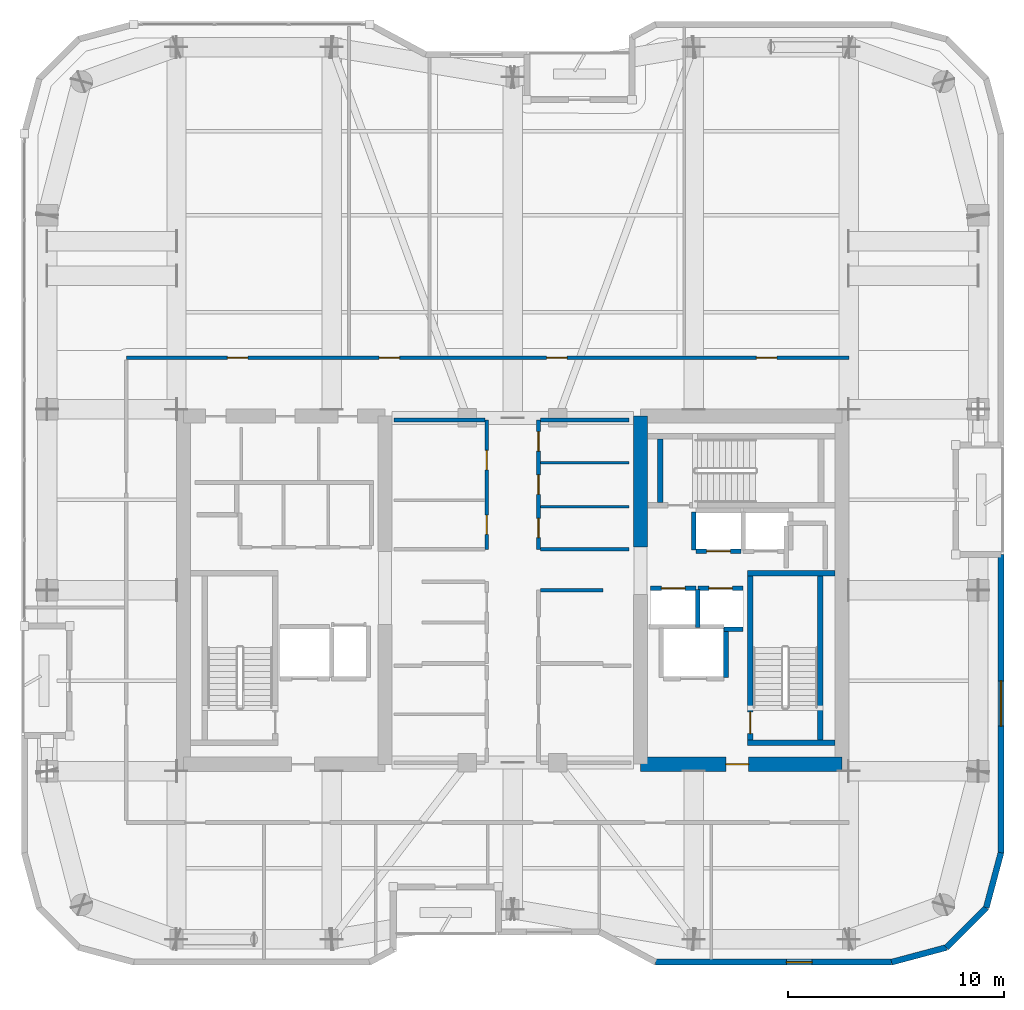
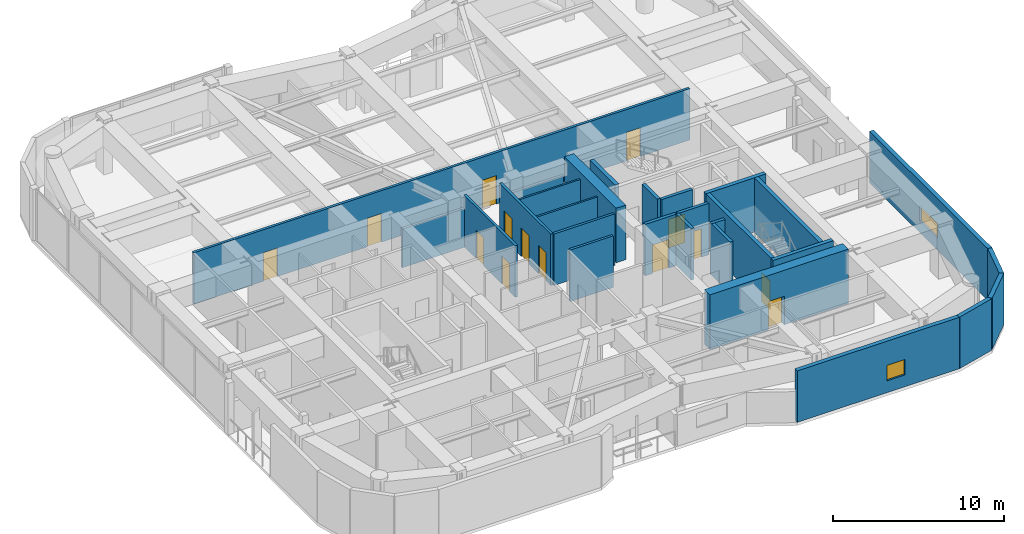
# One storey, part 17 of 21: 28 walls, 14 doors, 2 windows, 16 openings.
"""IFC4 building model written with IfcOpenShell, lengths in metres."""

from ifc_helpers import new_model, si_unit, direction, frame, frame_2d, origin, place, context, subcontext, project, spatial, rectangle, extrude, material, layer, layer_set, type_object, element, fill, save


model = new_model("IFC4")

# Units and contexts
model_context = context("Model", 3, precision=1e-05, world=origin(), true_north=direction((0.0, 1.0)))
body_context = subcontext(model_context, "Body", "Model", "MODEL_VIEW")
ifc_project = project(units=[si_unit("LENGTHUNIT", "METRE"), si_unit("AREAUNIT", "SQUARE_METRE"), si_unit("VOLUMEUNIT", "CUBIC_METRE"), si_unit("PLANEANGLEUNIT", "RADIAN"), si_unit("MASSUNIT", "GRAM", prefix="KILO")], contexts=[model_context])

# Site, building, storey
site_placement = place(None, origin())
site = spatial("IfcSite", under=ifc_project, at=site_placement, CompositionType="ELEMENT")
building_placement = place(site_placement, origin())
building = spatial("IfcBuilding", under=site, at=building_placement, Name="Kiyonajd Concourse Tower", CompositionType="ELEMENT")
storey_placement = place(building_placement, frame((0.0, 0.0, 251.10009765625)))
storey = spatial("IfcBuildingStorey", under=building, at=storey_placement, Name="L63", CompositionType="ELEMENT", Elevation=251.10009765625)

# Wall
ifc_material_1 = material(Name="Concrete C60/75", Category="concrete")
ifc_layer_1 = layer(ifc_material_1, 0.64990234375)
ifc_layer_set_1 = layer_set([ifc_layer_1], Name="Concrete C60/75")
wall_type_1 = type_object("IfcWallType", Name="WL-CORE-650", PredefinedType="SHEAR", material=ifc_layer_set_1)
wall_1_placement = place(storey_placement, frame((53.925048828125, 38.0, 0.0), z_axis=(0.0, 0.0, 1.0), x_axis=(0.0, 1.0, 0.0)))
element("IfcWall", 1, at=wall_1_placement, inside=storey, type_object=wall_type_1, Name="L63 East Core Inner North Shear Wall", PredefinedType="SHEAR", context=body_context, shape_type="SweptSolid", body=[
    extrude(rectangle(XDim=6.074951171875, YDim=0.64990234375, at=frame_2d((3.03759765625, 0.0))), origin(), (0.0, 0.0, 1.0), 3.89990234375),
])

# Wall, opening, door
wall_2_placement = place(storey_placement, frame((53.925048828125, 27.925048828125, 0.0), z_axis=(0.0, 0.0, 1.0), x_axis=(1.0, 0.0, 0.0)))
wall_2 = element("IfcWall", 2, at=wall_2_placement, inside=storey, type_object=wall_type_1, Name="L63 East Core South Shear Wall", PredefinedType="SHEAR", context=body_context, shape_type="SweptSolid", body=[
    extrude(rectangle(XDim=9.349853515625, YDim=0.64990234375, at=frame_2d((4.6748046875, 0.0))), origin(), (0.0, 0.0, 1.0), 3.89990234375),
])
opening_1_placement = place(wall_2_placement, frame((3.97509765625, 0.0, 0.0)))
opening_1 = element("IfcOpeningElement", 3, at=opening_1_placement, cuts=wall_2, Name="Opening DF5", PredefinedType="OPENING", context=body_context, shape_type="SweptSolid", body=[
    extrude(rectangle(XDim=1.050048828125, YDim=2.0400390625, at=frame_2d((0.52490234375, 1.02001953125))), frame((0.0, 0.3349609375, 0.0), z_axis=(0.0, -1.0, 0.0), x_axis=(1.0, 0.0, 0.0)), (0.0, 0.0, 1.0), 0.669921875),
])
ifc_material_2 = material(Name="Brushed Stainless Steel Cab Assembly", Category="steel")
door_type_1 = type_object("IfcDoorType", Name="DR-FD45-1050", OperationType="NOTDEFINED", PredefinedType="DOOR", material=ifc_material_2)
door_1_placement = place(opening_1_placement, origin())
door_1 = element("IfcDoor", 4, at=door_1_placement, inside=storey, type_object=door_type_1, Name="L63 Firefighting Lift Lobby E Smoke Door", OperationType="SINGLE_SWING_RIGHT", OverallHeight=2.0400390625, OverallWidth=1.050048828125, PredefinedType="DOOR", context=body_context, shape_type="SweptSolid", body=[
    extrude(rectangle(XDim=1.050048828125, YDim=2.0400390625, at=frame_2d((0.52490234375, 1.02001953125))), frame((0.0, 0.02490234375, 0.0), z_axis=(0.0, -1.0, 0.0), x_axis=(1.0, 0.0, 0.0)), (0.0, 0.0, 1.0), 0.050048828125),
])
fill(opening_1, door_1)

# Wall, opening, window
ifc_material_3 = material(Name="Precast concrete C50/60", Category="concrete")
ifc_layer_2 = layer(ifc_material_3, 0.280029296875)
ifc_layer_set_2 = layer_set([ifc_layer_2], Name="Precast concrete C50/60")
wall_type_2 = type_object("IfcWallType", Name="WL-EXT-280", PredefinedType="SOLIDWALL", material=ifc_layer_set_2)
wall_3_placement = place(storey_placement, frame((70.659912109375, 37.659912109375, 0.0), z_axis=(0.0, 0.0, 1.0), x_axis=(0.0, -1.0, 0.0)))
wall_3 = element("IfcWall", 5, at=wall_3_placement, inside=storey, type_object=wall_type_2, Name="L63 Exterior Concrete Frame Wall 24", PredefinedType="SOLIDWALL", context=body_context, shape_type="SweptSolid", body=[
    extrude(rectangle(XDim=13.841552734375, YDim=0.280029296875, at=frame_2d((6.9208984375, 0.0))), origin(), (0.0, 0.0, 1.0), 3.679931640625),
])
opening_2_placement = place(wall_3_placement, frame((5.87109375, 0.0, 0.85009765625)))
opening_2 = element("IfcOpeningElement", 6, at=opening_2_placement, cuts=wall_3, Name="Opening WN5", PredefinedType="OPENING", context=body_context, shape_type="SweptSolid", body=[
    extrude(rectangle(XDim=2.10009765625, YDim=1.050048828125, at=frame_2d((1.050048828125, 0.52490234375))), frame((0.0, 0.14990234375, 0.0), z_axis=(0.0, -1.0, 0.0), x_axis=(1.0, 0.0, 0.0)), (0.0, 0.0, 1.0), 0.300048828125),
])
ifc_material_4 = material(Name="Double Low-E Insulated Glass", Category="glass")
window_type_1 = type_object("IfcWindowType", Name="WN-VIS-2100x1050", PartitioningType="SINGLE_PANEL", PredefinedType="WINDOW", material=ifc_material_4)
window_1_placement = place(opening_2_placement, origin())
window_1 = element("IfcWindow", 7, at=window_1_placement, inside=storey, type_object=window_type_1, Name="L63 Modular Facade Vision Window 24", OverallHeight=1.050048828125, OverallWidth=2.10009765625, PartitioningType="SINGLE_PANEL", PredefinedType="WINDOW", context=body_context, shape_type="SweptSolid", body=[
    extrude(rectangle(XDim=2.10009765625, YDim=1.050048828125, at=frame_2d((1.050048828125, 0.52490234375))), frame((0.0, 0.030029296875, 0.0), z_axis=(0.0, -1.0, 0.0), x_axis=(1.0, 0.0, 0.0)), (0.0, 0.0, 1.0), 0.06005859375),
])
fill(opening_2, window_1)

# Walls
wall_4_placement = place(storey_placement, frame((70.659912109375, 23.818359375, 0.0), z_axis=(0.0, 0.0, 1.0), x_axis=(-0.2588904131, -0.965906700466, 0.0)))
element("IfcWall", 8, at=wall_4_placement, inside=storey, type_object=wall_type_2, Name="L63 Exterior Concrete Frame Wall 25", PredefinedType="SOLIDWALL", context=body_context, shape_type="SweptSolid", body=[
    extrude(rectangle(XDim=2.6357421875, YDim=0.280029296875, at=frame_2d((1.31787109375, 0.0))), origin(), (0.0, 0.0, 1.0), 3.679931640625),
])
wall_5_placement = place(storey_placement, frame((69.9775390625, 21.2724609375, 0.0), z_axis=(0.0, 0.0, 1.0), x_axis=(-0.707153437963, -0.707060121331, 0.0)))
element("IfcWall", 9, at=wall_5_placement, inside=storey, type_object=wall_type_2, Name="L63 Exterior Concrete Frame Wall 26", PredefinedType="SOLIDWALL", context=body_context, shape_type="SweptSolid", body=[
    extrude(rectangle(XDim=2.6162109375, YDim=0.280029296875, at=frame_2d((1.30810546875, 0.0))), origin(), (0.0, 0.0, 1.0), 3.679931640625),
])
wall_6_placement = place(storey_placement, frame((68.12744140625, 19.422607421875, 0.0), z_axis=(0.0, 0.0, 1.0), x_axis=(-0.965883534663, -0.258976828051, 0.0)))
element("IfcWall", 10, at=wall_6_placement, inside=storey, type_object=wall_type_2, Name="L63 Exterior Concrete Frame Wall 27", PredefinedType="SOLIDWALL", context=body_context, shape_type="SweptSolid", body=[
    extrude(rectangle(XDim=2.6357421875, YDim=0.280029296875, at=frame_2d((1.31787109375, 0.0))), origin(), (0.0, 0.0, 1.0), 3.679931640625),
])

# Wall, opening, window
wall_7_placement = place(storey_placement, frame((65.58154296875, 18.739990234375, 0.0), z_axis=(0.0, 0.0, 1.0), x_axis=(-1.0, 0.0, 0.0)))
wall_7 = element("IfcWall", 11, at=wall_7_placement, inside=storey, type_object=wall_type_2, Name="L63 Exterior Concrete Frame Wall 28", PredefinedType="SOLIDWALL", context=body_context, shape_type="SweptSolid", body=[
    extrude(rectangle(XDim=10.9462890625, YDim=0.280029296875, at=frame_2d((5.47314453125, 0.0))), origin(), (0.0, 0.0, 1.0), 3.679931640625),
])
opening_3_placement = place(wall_7_placement, frame((3.680908203125, 0.0, 0.85009765625)))
opening_3 = element("IfcOpeningElement", 12, at=opening_3_placement, cuts=wall_7, Name="Opening WN3", PredefinedType="OPENING", context=body_context, shape_type="SweptSolid", body=[
    extrude(rectangle(XDim=1.199951171875, YDim=1.10009765625, at=frame_2d((0.60009765625, 0.550048828125))), frame((0.0, 0.14990234375, 0.0), z_axis=(0.0, -1.0, 0.0), x_axis=(1.0, 0.0, 0.0)), (0.0, 0.0, 1.0), 0.300048828125),
])
window_type_2 = type_object("IfcWindowType", Name="WN-VIS-1200x1100", PartitioningType="SINGLE_PANEL", PredefinedType="WINDOW", material=ifc_material_4)
window_2_placement = place(opening_3_placement, origin())
window_2 = element("IfcWindow", 13, at=window_2_placement, inside=storey, type_object=window_type_2, Name="L63 Modular Facade Vision Window 28", OverallHeight=1.10009765625, OverallWidth=1.199951171875, PartitioningType="SINGLE_PANEL", PredefinedType="WINDOW", context=body_context, shape_type="SweptSolid", body=[
    extrude(rectangle(XDim=1.199951171875, YDim=1.10009765625, at=frame_2d((0.60009765625, 0.550048828125))), frame((0.0, 0.030029296875, 0.0), z_axis=(0.0, -1.0, 0.0), x_axis=(1.0, 0.0, 0.0)), (0.0, 0.0, 1.0), 0.06005859375),
])
fill(opening_3, window_2)

# Walls
ifc_material_5 = material(Name="Gypsum Board on Cold-Formed Steel Stud", Category="steel")
ifc_layer_3 = layer(ifc_material_5, 0.125)
ifc_layer_set_3 = layer_set([ifc_layer_3], Name="Gypsum Board on Cold-Formed Steel Stud")
wall_type_3 = type_object("IfcWallType", Name="WL-PART-125", PredefinedType="PARTITIONING", material=ifc_layer_set_3)
for number, where, z_axis, x_axis, name in (
    (14, (49.287109375, 39.8798828125, 0.0), (0.0, 0.0, 1.0), (1.0, 0.0, 0.0), "L63 Interior Partition Wall"),
    (15, (49.287109375, 41.919921875, 0.0), (0.0, 0.0, 1.0), (1.0, 0.0, 0.0), "L63 Interior Partition Wall"),
):
    element("IfcWall", number, at=place(storey_placement, frame(where, z_axis=z_axis, x_axis=x_axis)), inside=storey, type_object=wall_type_3, Name=name, PredefinedType="PARTITIONING", context=body_context, shape_type="SweptSolid", body=[
        extrude(rectangle(XDim=4.11279296875, YDim=0.125, at=frame_2d((2.056396484375, 0.0))), origin(), (0.0, 0.0, 1.0), 3.679931640625),
    ])
ifc_layer_4 = layer(ifc_material_5, 0.2099609375)
ifc_layer_set_4 = layer_set([ifc_layer_4], Name="Gypsum Board on Cold-Formed Steel Stud")
wall_type_4 = type_object("IfcWallType", Name="WL-SHAFT-210", PredefinedType="PARTITIONING", material=ifc_layer_set_4)
wall_8_placement = place(storey_placement, frame((57.89990234375, 31.9599609375, 0.0), z_axis=(0.0, 0.0, 1.0), x_axis=(0.0, 1.0, 0.0)))
element("IfcWall", 16, at=wall_8_placement, inside=storey, type_object=wall_type_4, Name="L63 Shaft Enclosure Wall", PredefinedType="PARTITIONING", context=body_context, shape_type="SweptSolid", body=[
    extrude(rectangle(XDim=2.280029296875, YDim=0.2099609375, at=frame_2d((1.14013671875, 0.0))), origin(), (0.0, 0.0, 1.0), 3.679931640625),
])

# Wall, opening, door
wall_9_placement = place(storey_placement, frame((54.39990234375, 36.10009765625, 0.0), z_axis=(0.0, 0.0, 1.0), x_axis=(1.0, 0.0, 0.0)))
wall_9 = element("IfcWall", 17, at=wall_9_placement, inside=storey, type_object=wall_type_4, Name="L63 Shaft Enclosure Wall", PredefinedType="PARTITIONING", context=body_context, shape_type="SweptSolid", body=[
    extrude(rectangle(XDim=2.10009765625, YDim=0.2099609375, at=frame_2d((1.050048828125, 0.0))), origin(), (0.0, 0.0, 1.0), 3.679931640625),
])
opening_4_placement = place(wall_9_placement, frame((0.5, 0.0, 0.0)))
opening_4 = element("IfcOpeningElement", 18, at=opening_4_placement, cuts=wall_9, Name="Opening LD1", PredefinedType="OPENING", context=body_context, shape_type="SweptSolid", body=[
    extrude(rectangle(XDim=1.10009765625, YDim=2.0400390625, at=frame_2d((0.550048828125, 1.02001953125))), frame((0.0, 0.114990234375, 0.0), z_axis=(0.0, -1.0, 0.0), x_axis=(1.0, 0.0, 0.0)), (0.0, 0.0, 1.0), 0.22998046875),
])
door_type_2 = type_object("IfcDoorType", Name="DR-LD-1100", OperationType="DOUBLE_DOOR_SLIDING", PredefinedType="DOOR", material=ifc_material_2)
door_2_placement = place(opening_4_placement, origin())
door_2 = element("IfcDoor", 19, at=door_2_placement, inside=storey, type_object=door_type_2, Name="L63 Lift PL-H1 Sliding Landing Door", OperationType="DOUBLE_DOOR_SLIDING", OverallHeight=2.0400390625, OverallWidth=1.10009765625, PredefinedType="DOOR", context=body_context, shape_type="SweptSolid", body=[
    extrude(rectangle(XDim=1.10009765625, YDim=2.0400390625, at=frame_2d((0.550048828125, 1.02001953125))), frame((0.0, 0.02490234375, 0.0), z_axis=(0.0, -1.0, 0.0), x_axis=(1.0, 0.0, 0.0)), (0.0, 0.0, 1.0), 0.050048828125),
])
fill(opening_4, door_2)

# Wall
wall_10_placement = place(storey_placement, frame((56.60009765625, 34.260009765625, 0.0), z_axis=(0.0, 0.0, 1.0), x_axis=(0.0, 1.0, 0.0)))
element("IfcWall", 20, at=wall_10_placement, inside=storey, type_object=wall_type_4, Name="L63 Shaft Enclosure Wall", PredefinedType="PARTITIONING", context=body_context, shape_type="SweptSolid", body=[
    extrude(rectangle(XDim=1.780029296875, YDim=0.2099609375, at=frame_2d((0.89013671875, 0.0))), origin(), (0.0, 0.0, 1.0), 3.679931640625),
])

# Wall, opening, door
wall_11_placement = place(storey_placement, frame((56.60009765625, 36.10009765625, 0.0), z_axis=(0.0, 0.0, 1.0), x_axis=(1.0, 0.0, 0.0)))
wall_11 = element("IfcWall", 21, at=wall_11_placement, inside=storey, type_object=wall_type_4, Name="L63 Shaft Enclosure Wall", PredefinedType="PARTITIONING", context=body_context, shape_type="SweptSolid", body=[
    extrude(rectangle(XDim=2.099853515625, YDim=0.2099609375, at=frame_2d((1.0498046875, 0.0))), origin(), (0.0, 0.0, 1.0), 3.679931640625),
])
opening_5_placement = place(wall_11_placement, frame((0.5, 0.0, 0.0)))
opening_5 = element("IfcOpeningElement", 22, at=opening_5_placement, cuts=wall_11, Name="Opening LD1", PredefinedType="OPENING", context=body_context, shape_type="SweptSolid", body=[
    extrude(rectangle(XDim=1.10009765625, YDim=2.0400390625, at=frame_2d((0.550048828125, 1.02001953125))), frame((0.0, 0.114990234375, 0.0), z_axis=(0.0, -1.0, 0.0), x_axis=(1.0, 0.0, 0.0)), (0.0, 0.0, 1.0), 0.22998046875),
])
door_3_placement = place(opening_5_placement, origin())
door_3 = element("IfcDoor", 23, at=door_3_placement, inside=storey, type_object=door_type_2, Name="L63 Lift PL-H2 Sliding Landing Door", OperationType="DOUBLE_DOOR_SLIDING", OverallHeight=2.0400390625, OverallWidth=1.10009765625, PredefinedType="DOOR", context=body_context, shape_type="SweptSolid", body=[
    extrude(rectangle(XDim=1.10009765625, YDim=2.0400390625, at=frame_2d((0.550048828125, 1.02001953125))), frame((0.0, 0.02490234375, 0.0), z_axis=(0.0, -1.0, 0.0), x_axis=(1.0, 0.0, 0.0)), (0.0, 0.0, 1.0), 0.050048828125),
])
fill(opening_5, door_3)

# Wall
wall_12_placement = place(storey_placement, frame((57.800048828125, 34.199951171875, 0.0), z_axis=(0.0, 0.0, 1.0), x_axis=(1.0, 0.0, 0.0)))
element("IfcWall", 24, at=wall_12_placement, inside=storey, type_object=wall_type_4, Name="L63 Shaft Enclosure Wall", PredefinedType="PARTITIONING", context=body_context, shape_type="SweptSolid", body=[
    extrude(rectangle(XDim=0.89990234375, YDim=0.2099609375, at=frame_2d((0.449951171875, 0.0))), origin(), (0.0, 0.0, 1.0), 3.679931640625),
])

# Wall, opening, door
wall_13_placement = place(storey_placement, frame((56.5, 37.800048828125, 0.0), z_axis=(0.0, 0.0, 1.0), x_axis=(1.0, 0.0, 0.0)))
wall_13 = element("IfcWall", 25, at=wall_13_placement, inside=storey, type_object=wall_type_4, Name="L63 Shaft Enclosure Wall", PredefinedType="PARTITIONING", context=body_context, shape_type="SweptSolid", body=[
    extrude(rectangle(XDim=2.10009765625, YDim=0.2099609375, at=frame_2d((1.050048828125, 0.0))), origin(), (0.0, 0.0, 1.0), 3.679931640625),
])
opening_6_placement = place(wall_13_placement, frame((0.5, 0.0, 0.0)))
opening_6 = element("IfcOpeningElement", 26, at=opening_6_placement, cuts=wall_13, Name="Opening LD1", PredefinedType="OPENING", context=body_context, shape_type="SweptSolid", body=[
    extrude(rectangle(XDim=1.10009765625, YDim=2.0400390625, at=frame_2d((0.550048828125, 1.02001953125))), frame((0.0, 0.114990234375, 0.0), z_axis=(0.0, -1.0, 0.0), x_axis=(1.0, 0.0, 0.0)), (0.0, 0.0, 1.0), 0.22998046875),
])
door_4_placement = place(opening_6_placement, origin())
door_4 = element("IfcDoor", 27, at=door_4_placement, inside=storey, type_object=door_type_2, Name="L63 Lift PL-H3 Sliding Landing Door", OperationType="DOUBLE_DOOR_SLIDING", OverallHeight=2.0400390625, OverallWidth=1.10009765625, PredefinedType="DOOR", context=body_context, shape_type="SweptSolid", body=[
    extrude(rectangle(XDim=1.10009765625, YDim=2.0400390625, at=frame_2d((0.550048828125, 1.02001953125))), frame((0.0, 0.02490234375, 0.0), z_axis=(0.0, -1.0, 0.0), x_axis=(1.0, 0.0, 0.0)), (0.0, 0.0, 1.0), 0.050048828125),
])
fill(opening_6, door_4)

# Walls
wall_14_placement = place(storey_placement, frame((56.39990234375, 37.860107421875, 0.0), z_axis=(0.0, 0.0, 1.0), x_axis=(0.0, 1.0, 0.0)))
element("IfcWall", 28, at=wall_14_placement, inside=storey, type_object=wall_type_4, Name="L63 Shaft Enclosure Wall", PredefinedType="PARTITIONING", context=body_context, shape_type="SweptSolid", body=[
    extrude(rectangle(XDim=1.77978515625, YDim=0.2099609375, at=frame_2d((0.889892578125, 0.0))), origin(), (0.0, 0.0, 1.0), 3.679931640625),
])
ifc_layer_5 = layer(ifc_material_5, 0.169921875)
ifc_layer_set_5 = layer_set([ifc_layer_5], Name="Gypsum Board on Cold-Formed Steel Stud")
wall_type_5 = type_object("IfcWallType", Name="WL-SMK-170", PredefinedType="PARTITIONING", material=ifc_layer_set_5)
wall_15_placement = place(storey_placement, frame((49.287109375, 36.0, 0.0), z_axis=(0.0, 0.0, 1.0), x_axis=(1.0, 0.0, 0.0)))
element("IfcWall", 29, at=wall_15_placement, inside=storey, type_object=wall_type_5, Name="L63 Interior Partition Wall", PredefinedType="PARTITIONING", context=body_context, shape_type="SweptSolid", body=[
    extrude(rectangle(XDim=2.912841796875, YDim=0.169921875, at=frame_2d((1.45654296875, 0.0))), origin(), (0.0, 0.0, 1.0), 3.679931640625),
])

# Wall, openings, doors
wall_16_placement = place(storey_placement, frame((46.800048828125, 37.89990234375, 0.0), z_axis=(0.0, 0.0, 1.0), x_axis=(0.0, 1.0, 0.0)))
wall_16 = element("IfcWall", 30, at=wall_16_placement, inside=storey, type_object=wall_type_5, Name="L63 Interior Partition Wall", PredefinedType="PARTITIONING", context=body_context, shape_type="SweptSolid", body=[
    extrude(rectangle(XDim=6.0, YDim=0.169921875, at=frame_2d((3.0, 0.0))), origin(), (0.0, 0.0, 1.0), 3.679931640625),
])
opening_7_placement = place(wall_16_placement, frame((0.68994140625, 0.0, 0.0)))
opening_7 = element("IfcOpeningElement", 31, at=opening_7_placement, cuts=wall_16, Name="Opening DI2", PredefinedType="OPENING", context=body_context, shape_type="SweptSolid", body=[
    extrude(rectangle(XDim=0.89990234375, YDim=2.02001953125, at=frame_2d((0.449951171875, 1.010009765625))), frame((0.0, 0.094970703125, 0.0), z_axis=(0.0, -1.0, 0.0), x_axis=(1.0, 0.0, 0.0)), (0.0, 0.0, 1.0), 0.18994140625),
])
opening_8_placement = place(wall_16_placement, frame((3.68994140625, 0.0, 0.0)))
opening_8 = element("IfcOpeningElement", 32, at=opening_8_placement, cuts=wall_16, Name="Opening DI2", PredefinedType="OPENING", context=body_context, shape_type="SweptSolid", body=[
    extrude(rectangle(XDim=0.89990234375, YDim=2.02001953125, at=frame_2d((0.449951171875, 1.010009765625))), frame((0.0, 0.094970703125, 0.0), z_axis=(0.0, -1.0, 0.0), x_axis=(1.0, 0.0, 0.0)), (0.0, 0.0, 1.0), 0.18994140625),
])
ifc_material_6 = material(Name="Natural Oak Acoustic Timber Veneer", Category="wood")
door_type_3 = type_object("IfcDoorType", Name="DR-INT-900", OperationType="NOTDEFINED", PredefinedType="DOOR", material=ifc_material_6)
door_5_placement = place(opening_7_placement, origin())
door_5 = element("IfcDoor", 33, at=door_5_placement, inside=storey, type_object=door_type_3, Name="L63 Interior Door", OperationType="SINGLE_SWING_LEFT", OverallHeight=2.02001953125, OverallWidth=0.89990234375, PredefinedType="DOOR", context=body_context, shape_type="SweptSolid", body=[
    extrude(rectangle(XDim=0.89990234375, YDim=2.02001953125, at=frame_2d((0.449951171875, 1.010009765625))), frame((0.0, 0.02490234375, 0.0), z_axis=(0.0, -1.0, 0.0), x_axis=(1.0, 0.0, 0.0)), (0.0, 0.0, 1.0), 0.050048828125),
])
fill(opening_7, door_5)
door_6_placement = place(opening_8_placement, origin())
door_6 = element("IfcDoor", 34, at=door_6_placement, inside=storey, type_object=door_type_3, Name="L63 Interior Door", OperationType="SINGLE_SWING_RIGHT", OverallHeight=2.02001953125, OverallWidth=0.89990234375, PredefinedType="DOOR", context=body_context, shape_type="SweptSolid", body=[
    extrude(rectangle(XDim=0.89990234375, YDim=2.02001953125, at=frame_2d((0.449951171875, 1.010009765625))), frame((0.0, 0.02490234375, 0.0), z_axis=(0.0, -1.0, 0.0), x_axis=(1.0, 0.0, 0.0)), (0.0, 0.0, 1.0), 0.050048828125),
])
fill(opening_8, door_6)

# Wall
wall_17_placement = place(storey_placement, frame((42.5, 43.89990234375, 0.0), z_axis=(0.0, 0.0, 1.0), x_axis=(1.0, 0.0, 0.0)))
element("IfcWall", 35, at=wall_17_placement, inside=storey, type_object=wall_type_5, Name="L63 Interior Partition Wall", PredefinedType="PARTITIONING", context=body_context, shape_type="SweptSolid", body=[
    extrude(rectangle(XDim=4.212890625, YDim=0.169921875, at=frame_2d((2.1064453125, 0.0))), origin(), (0.0, 0.0, 1.0), 2.764892578125),
])

# Wall, openings, doors
wall_18_placement = place(storey_placement, frame((49.199951171875, 37.89990234375, 0.0), z_axis=(0.0, 0.0, 1.0), x_axis=(0.0, 1.0, 0.0)))
wall_18 = element("IfcWall", 36, at=wall_18_placement, inside=storey, type_object=wall_type_5, Name="L63 Interior Partition Wall", PredefinedType="PARTITIONING", context=body_context, shape_type="SweptSolid", body=[
    extrude(rectangle(XDim=6.0, YDim=0.169921875, at=frame_2d((3.0, 0.0))), origin(), (0.0, 0.0, 1.0), 3.679931640625),
])
opening_9_placement = place(wall_18_placement, frame((0.5400390625, 0.0, 0.0)))
opening_9 = element("IfcOpeningElement", 37, at=opening_9_placement, cuts=wall_18, Name="Opening DI2", PredefinedType="OPENING", context=body_context, shape_type="SweptSolid", body=[
    extrude(rectangle(XDim=0.89990234375, YDim=2.02001953125, at=frame_2d((0.449951171875, 1.010009765625))), frame((0.0, 0.094970703125, 0.0), z_axis=(0.0, -1.0, 0.0), x_axis=(1.0, 0.0, 0.0)), (0.0, 0.0, 1.0), 0.18994140625),
])
opening_10_placement = place(wall_18_placement, frame((2.550048828125, 0.0, 0.0)))
opening_10 = element("IfcOpeningElement", 38, at=opening_10_placement, cuts=wall_18, Name="Opening DI2", PredefinedType="OPENING", context=body_context, shape_type="SweptSolid", body=[
    extrude(rectangle(XDim=0.89990234375, YDim=2.02001953125, at=frame_2d((0.449951171875, 1.010009765625))), frame((0.0, 0.094970703125, 0.0), z_axis=(0.0, -1.0, 0.0), x_axis=(1.0, 0.0, 0.0)), (0.0, 0.0, 1.0), 0.18994140625),
])
opening_11_placement = place(wall_18_placement, frame((4.56005859375, 0.0, 0.0)))
opening_11 = element("IfcOpeningElement", 39, at=opening_11_placement, cuts=wall_18, Name="Opening DI2", PredefinedType="OPENING", context=body_context, shape_type="SweptSolid", body=[
    extrude(rectangle(XDim=0.89990234375, YDim=2.02001953125, at=frame_2d((0.449951171875, 1.010009765625))), frame((0.0, 0.094970703125, 0.0), z_axis=(0.0, -1.0, 0.0), x_axis=(1.0, 0.0, 0.0)), (0.0, 0.0, 1.0), 0.18994140625),
])
door_7_placement = place(opening_9_placement, origin())
door_7 = element("IfcDoor", 40, at=door_7_placement, inside=storey, type_object=door_type_3, Name="L63 Interior Door", OperationType="SINGLE_SWING_LEFT", OverallHeight=2.02001953125, OverallWidth=0.89990234375, PredefinedType="DOOR", context=body_context, shape_type="SweptSolid", body=[
    extrude(rectangle(XDim=0.89990234375, YDim=2.02001953125, at=frame_2d((0.449951171875, 1.010009765625))), frame((0.0, 0.02490234375, 0.0), z_axis=(0.0, -1.0, 0.0), x_axis=(1.0, 0.0, 0.0)), (0.0, 0.0, 1.0), 0.050048828125),
])
fill(opening_9, door_7)
door_8_placement = place(opening_10_placement, origin())
door_8 = element("IfcDoor", 41, at=door_8_placement, inside=storey, type_object=door_type_3, Name="L63 Interior Door", OperationType="SINGLE_SWING_RIGHT", OverallHeight=2.02001953125, OverallWidth=0.89990234375, PredefinedType="DOOR", context=body_context, shape_type="SweptSolid", body=[
    extrude(rectangle(XDim=0.89990234375, YDim=2.02001953125, at=frame_2d((0.449951171875, 1.010009765625))), frame((0.0, 0.02490234375, 0.0), z_axis=(0.0, -1.0, 0.0), x_axis=(1.0, 0.0, 0.0)), (0.0, 0.0, 1.0), 0.050048828125),
])
fill(opening_10, door_8)
door_9_placement = place(opening_11_placement, origin())
door_9 = element("IfcDoor", 42, at=door_9_placement, inside=storey, type_object=door_type_3, Name="L63 Interior Door", OperationType="SINGLE_SWING_LEFT", OverallHeight=2.02001953125, OverallWidth=0.89990234375, PredefinedType="DOOR", context=body_context, shape_type="SweptSolid", body=[
    extrude(rectangle(XDim=0.89990234375, YDim=2.02001953125, at=frame_2d((0.449951171875, 1.010009765625))), frame((0.0, 0.02490234375, 0.0), z_axis=(0.0, -1.0, 0.0), x_axis=(1.0, 0.0, 0.0)), (0.0, 0.0, 1.0), 0.050048828125),
])
fill(opening_11, door_9)

# Walls
wall_19_placement = place(storey_placement, frame((49.287109375, 37.89990234375, 0.0), z_axis=(0.0, 0.0, 1.0), x_axis=(1.0, 0.0, 0.0)))
element("IfcWall", 43, at=wall_19_placement, inside=storey, type_object=wall_type_5, Name="L63 Interior Partition Wall", PredefinedType="PARTITIONING", context=body_context, shape_type="SweptSolid", body=[
    extrude(rectangle(XDim=4.11279296875, YDim=0.169921875, at=frame_2d((2.056396484375, 0.0))), origin(), (0.0, 0.0, 1.0), 3.679931640625),
])
wall_20_placement = place(storey_placement, frame((49.287109375, 43.89990234375, 0.0), z_axis=(0.0, 0.0, 1.0), x_axis=(1.0, 0.0, 0.0)))
element("IfcWall", 44, at=wall_20_placement, inside=storey, type_object=wall_type_5, Name="L63 Interior Partition Wall", PredefinedType="PARTITIONING", context=body_context, shape_type="SweptSolid", body=[
    extrude(rectangle(XDim=4.11279296875, YDim=0.169921875, at=frame_2d((2.056396484375, 0.0))), origin(), (0.0, 0.0, 1.0), 2.764892578125),
])

# Wall, openings, doors
wall_21_placement = place(storey_placement, frame((30.074951171875, 46.780029296875, 0.0), z_axis=(0.0, 0.0, 1.0), x_axis=(1.0, 0.0, 0.0)))
wall_21 = element("IfcWall", 45, at=wall_21_placement, inside=storey, type_object=wall_type_5, Name="L63 Interior Partition Wall", PredefinedType="PARTITIONING", context=body_context, shape_type="SweptSolid", body=[
    extrude(rectangle(XDim=33.525146484375, YDim=0.169921875, at=frame_2d((16.7626953125, 0.0))), origin(), (0.0, 0.0, 1.0), 3.679931640625),
])
opening_12_placement = place(wall_21_placement, frame((4.693115234375, 0.0, 0.0)))
opening_12 = element("IfcOpeningElement", 46, at=opening_12_placement, cuts=wall_21, Name="Opening DI1", PredefinedType="OPENING", context=body_context, shape_type="SweptSolid", body=[
    extrude(rectangle(XDim=0.949951171875, YDim=2.0400390625, at=frame_2d((0.47509765625, 1.02001953125))), frame((0.0, 0.094970703125, 0.0), z_axis=(0.0, -1.0, 0.0), x_axis=(1.0, 0.0, 0.0)), (0.0, 0.0, 1.0), 0.18994140625),
])
opening_13_placement = place(wall_21_placement, frame((11.72509765625, 0.0, 0.0)))
opening_13 = element("IfcOpeningElement", 47, at=opening_13_placement, cuts=wall_21, Name="Opening DI1", PredefinedType="OPENING", context=body_context, shape_type="SweptSolid", body=[
    extrude(rectangle(XDim=0.949951171875, YDim=2.0400390625, at=frame_2d((0.47509765625, 1.02001953125))), frame((0.0, 0.094970703125, 0.0), z_axis=(0.0, -1.0, 0.0), x_axis=(1.0, 0.0, 0.0)), (0.0, 0.0, 1.0), 0.18994140625),
])
opening_14_placement = place(wall_21_placement, frame((19.5048828125, 0.0, 0.0)))
opening_14 = element("IfcOpeningElement", 48, at=opening_14_placement, cuts=wall_21, Name="Opening DI1", PredefinedType="OPENING", context=body_context, shape_type="SweptSolid", body=[
    extrude(rectangle(XDim=0.949951171875, YDim=2.0400390625, at=frame_2d((0.47509765625, 1.02001953125))), frame((0.0, 0.094970703125, 0.0), z_axis=(0.0, -1.0, 0.0), x_axis=(1.0, 0.0, 0.0)), (0.0, 0.0, 1.0), 0.18994140625),
])
opening_15_placement = place(wall_21_placement, frame((29.235107421875, 0.0, 0.0)))
opening_15 = element("IfcOpeningElement", 49, at=opening_15_placement, cuts=wall_21, Name="Opening DI1", PredefinedType="OPENING", context=body_context, shape_type="SweptSolid", body=[
    extrude(rectangle(XDim=0.949951171875, YDim=2.0400390625, at=frame_2d((0.47509765625, 1.02001953125))), frame((0.0, 0.094970703125, 0.0), z_axis=(0.0, -1.0, 0.0), x_axis=(1.0, 0.0, 0.0)), (0.0, 0.0, 1.0), 0.18994140625),
])
door_type_4 = type_object("IfcDoorType", Name="DR-INT-950", OperationType="NOTDEFINED", PredefinedType="DOOR", material=ifc_material_6)
door_10_placement = place(opening_12_placement, origin())
door_10 = element("IfcDoor", 50, at=door_10_placement, inside=storey, type_object=door_type_4, Name="L63 Interior Door", OperationType="SINGLE_SWING_RIGHT", OverallHeight=2.0400390625, OverallWidth=0.949951171875, PredefinedType="DOOR", context=body_context, shape_type="SweptSolid", body=[
    extrude(rectangle(XDim=0.949951171875, YDim=2.0400390625, at=frame_2d((0.47509765625, 1.02001953125))), frame((0.0, 0.02490234375, 0.0), z_axis=(0.0, -1.0, 0.0), x_axis=(1.0, 0.0, 0.0)), (0.0, 0.0, 1.0), 0.050048828125),
])
fill(opening_12, door_10)
door_11_placement = place(opening_13_placement, origin())
door_11 = element("IfcDoor", 51, at=door_11_placement, inside=storey, type_object=door_type_4, Name="L63 Interior Door", OperationType="SINGLE_SWING_LEFT", OverallHeight=2.0400390625, OverallWidth=0.949951171875, PredefinedType="DOOR", context=body_context, shape_type="SweptSolid", body=[
    extrude(rectangle(XDim=0.949951171875, YDim=2.0400390625, at=frame_2d((0.47509765625, 1.02001953125))), frame((0.0, 0.02490234375, 0.0), z_axis=(0.0, -1.0, 0.0), x_axis=(1.0, 0.0, 0.0)), (0.0, 0.0, 1.0), 0.050048828125),
])
fill(opening_13, door_11)
door_12_placement = place(opening_14_placement, origin())
door_12 = element("IfcDoor", 52, at=door_12_placement, inside=storey, type_object=door_type_4, Name="L63 Interior Door", OperationType="SINGLE_SWING_RIGHT", OverallHeight=2.0400390625, OverallWidth=0.949951171875, PredefinedType="DOOR", context=body_context, shape_type="SweptSolid", body=[
    extrude(rectangle(XDim=0.949951171875, YDim=2.0400390625, at=frame_2d((0.47509765625, 1.02001953125))), frame((0.0, 0.02490234375, 0.0), z_axis=(0.0, -1.0, 0.0), x_axis=(1.0, 0.0, 0.0)), (0.0, 0.0, 1.0), 0.050048828125),
])
fill(opening_14, door_12)
door_13_placement = place(opening_15_placement, origin())
door_13 = element("IfcDoor", 53, at=door_13_placement, inside=storey, type_object=door_type_4, Name="L63 Interior Door", OperationType="SINGLE_SWING_LEFT", OverallHeight=2.0400390625, OverallWidth=0.949951171875, PredefinedType="DOOR", context=body_context, shape_type="SweptSolid", body=[
    extrude(rectangle(XDim=0.949951171875, YDim=2.0400390625, at=frame_2d((0.47509765625, 1.02001953125))), frame((0.0, 0.02490234375, 0.0), z_axis=(0.0, -1.0, 0.0), x_axis=(1.0, 0.0, 0.0)), (0.0, 0.0, 1.0), 0.050048828125),
])
fill(opening_15, door_13)

# Walls
ifc_material_7 = material(Name="Concrete C50/60", Category="concrete")
ifc_layer_6 = layer(ifc_material_7, 0.260009765625)
ifc_layer_set_6 = layer_set([ifc_layer_6], Name="Concrete C50/60")
wall_type_6 = type_object("IfcWallType", Name="WL-STAIR-260", PredefinedType="SHEAR", material=ifc_layer_set_6)
for number, where, z_axis, x_axis, name in (
    (54, (58.889892578125, 28.919921875, 0.0), (0.0, 0.0, 1.0), (1.0, 0.0, 0.0), "L63 Stair ST2 Structural South Wall"),
    (55, (58.889892578125, 36.780029296875, 0.0), (0.0, 0.0, 1.0), (1.0, 0.0, 0.0), "L63 Stair ST2 Structural North Wall"),
):
    element("IfcWall", number, at=place(storey_placement, frame(where, z_axis=z_axis, x_axis=x_axis)), inside=storey, type_object=wall_type_6, Name=name, PredefinedType="SHEAR", context=body_context, shape_type="SweptSolid", body=[
        extrude(rectangle(XDim=4.06005859375, YDim=0.260009765625, at=frame_2d((2.030029296875, 0.0))), origin(), (0.0, 0.0, 1.0), 3.89990234375),
    ])

# Wall, opening, door
wall_22_placement = place(storey_placement, frame((59.02001953125, 29.050048828125, 0.0), z_axis=(0.0, 0.0, 1.0), x_axis=(0.0, 1.0, 0.0)))
wall_22 = element("IfcWall", 56, at=wall_22_placement, inside=storey, type_object=wall_type_6, Name="L63 Stair ST2 Structural West Wall", PredefinedType="SHEAR", context=body_context, shape_type="SweptSolid", body=[
    extrude(rectangle(XDim=7.599853515625, YDim=0.260009765625, at=frame_2d((3.7998046875, 0.0))), origin(), (0.0, 0.0, 1.0), 3.89990234375),
])
opening_16_placement = place(wall_22_placement, frame((0.300048828125, 0.0, 0.0)))
opening_16 = element("IfcOpeningElement", 57, at=opening_16_placement, cuts=wall_22, Name="Opening DF1", PredefinedType="OPENING", context=body_context, shape_type="SweptSolid", body=[
    extrude(rectangle(XDim=1.0, YDim=2.0400390625, at=frame_2d((0.5, 1.02001953125))), frame((0.0, 0.139892578125, 0.0), z_axis=(0.0, -1.0, 0.0), x_axis=(1.0, 0.0, 0.0)), (0.0, 0.0, 1.0), 0.280029296875),
])
door_type_5 = type_object("IfcDoorType", Name="DR-FD90-1000", OperationType="NOTDEFINED", PredefinedType="DOOR", material=ifc_material_2)
door_14_placement = place(opening_16_placement, origin())
door_14 = element("IfcDoor", 58, at=door_14_placement, inside=storey, type_object=door_type_5, Name="L63 Stair ST2 FSAE Door", OperationType="SINGLE_SWING_RIGHT", OverallHeight=2.0400390625, OverallWidth=1.0, PredefinedType="DOOR", context=body_context, shape_type="SweptSolid", body=[
    extrude(rectangle(XDim=1.0, YDim=2.0400390625, at=frame_2d((0.5, 1.02001953125))), frame((0.0, 0.02490234375, 0.0), z_axis=(0.0, -1.0, 0.0), x_axis=(1.0, 0.0, 0.0)), (0.0, 0.0, 1.0), 0.050048828125),
])
fill(opening_16, door_14)

# Walls
wall_23_placement = place(storey_placement, frame((62.280029296875, 29.050048828125, 0.0), z_axis=(0.0, 0.0, 1.0), x_axis=(0.0, 1.0, 0.0)))
element("IfcWall", 59, at=wall_23_placement, inside=storey, type_object=wall_type_6, Name="L63 Stair ST2 Structural East Wall", PredefinedType="SHEAR", context=body_context, shape_type="SweptSolid", body=[
    extrude(rectangle(XDim=7.599853515625, YDim=0.260009765625, at=frame_2d((3.7998046875, 0.0))), origin(), (0.0, 0.0, 1.0), 3.89990234375),
])
wall_24_placement = place(storey_placement, frame((54.85009765625, 40.080078125, 0.0), z_axis=(0.0, 0.0, 1.0), x_axis=(0.0, 1.0, 0.0)))
element("IfcWall", 60, at=wall_24_placement, inside=storey, type_object=wall_type_6, Name="L63 Stair ST3 Structural West Wall", PredefinedType="SHEAR", context=body_context, shape_type="SweptSolid", body=[
    extrude(rectangle(XDim=2.93994140625, YDim=0.260009765625, at=frame_2d((1.469970703125, 0.0))), origin(), (0.0, 0.0, 1.0), 3.89990234375),
])

save(model, "model.ifc")
